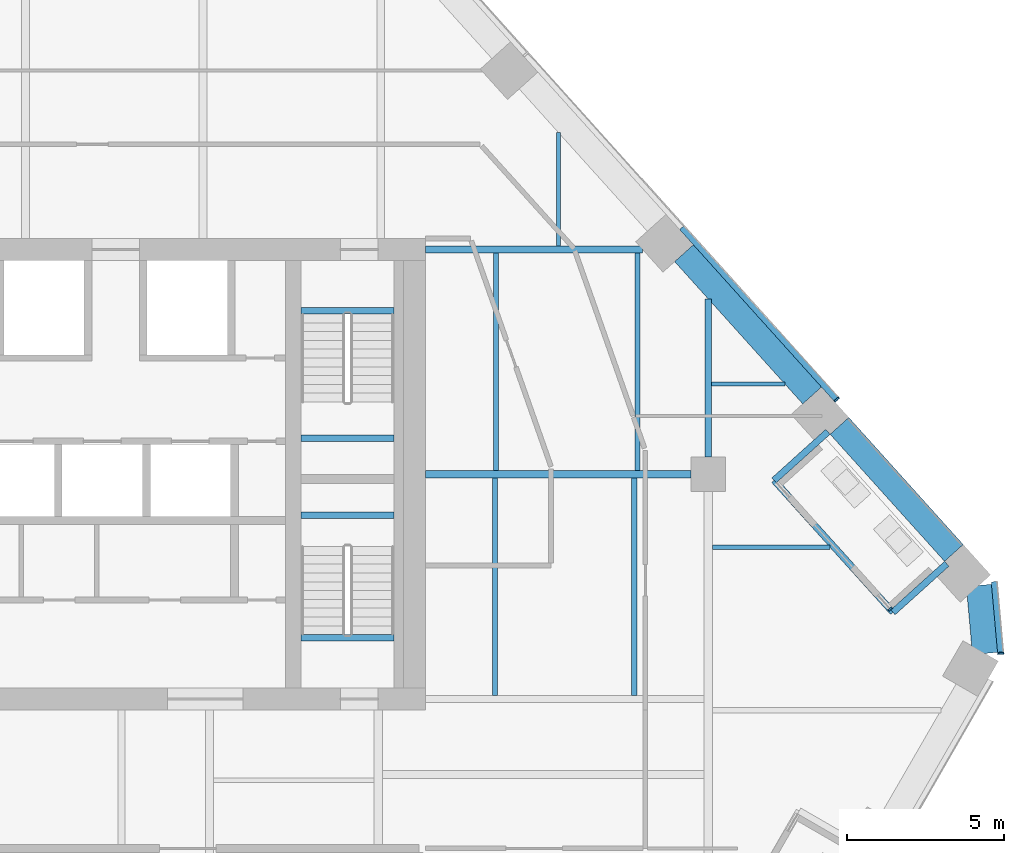
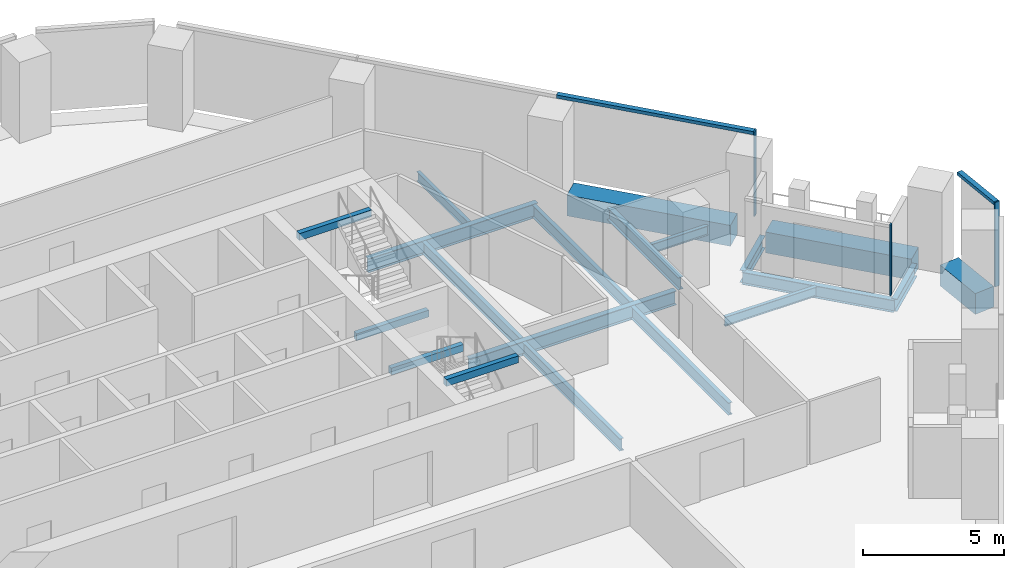
# One storey, part 10 of 26: 20 beams, 5 members, 3 elements without a shape of their own.
"""IFC4 building model written with IfcOpenShell, lengths in metres."""

from ifc_helpers import new_model, si_unit, direction, frame, origin, origin_2d, place, context, subcontext, project, spatial, rectangle, i_section, extrude, material, layer, layer_set, material_profile, profile_set, type_object, element, aggregate, save


model = new_model("IFC4")

# Units and contexts
model_context = context("Model", 3, precision=1e-05, world=origin(), true_north=direction((0.0, 1.0)))
body_context = subcontext(model_context, "Body", "Model", "MODEL_VIEW")
ifc_project = project(units=[si_unit("LENGTHUNIT", "METRE"), si_unit("AREAUNIT", "SQUARE_METRE"), si_unit("VOLUMEUNIT", "CUBIC_METRE"), si_unit("PLANEANGLEUNIT", "RADIAN"), si_unit("MASSUNIT", "GRAM", prefix="KILO")], contexts=[model_context])

# Site, building, storey
site_placement = place(None, origin())
site = spatial("IfcSite", under=ifc_project, at=site_placement, CompositionType="ELEMENT")
building_placement = place(site_placement, origin())
building = spatial("IfcBuilding", under=site, at=building_placement, Name="Isthmus Gate Tower", CompositionType="ELEMENT")
storey_placement = place(building_placement, frame((0.0, 0.0, 189.050048828125)))
storey = spatial("IfcBuildingStorey", under=building, at=storey_placement, Name="L47", CompositionType="ELEMENT", Elevation=189.050048828125)

# Curtain wall, member
ifc_material_1 = material(Name="Aluminium, pale champagne anodised", Category="aluminium")
ifc_layer_1 = layer(ifc_material_1, 0.199951171875)
ifc_layer_set_1 = layer_set([ifc_layer_1], Name="CW-1 UNITISED CURTAIN WALL 200 DEEP")
curtain_wall_type_1 = type_object("IfcCurtainWallType", Name="CW-1 UNITISED CURTAIN WALL 200 DEEP", PredefinedType="NOTDEFINED", material=ifc_layer_set_1)
curtain_wall_1_placement = place(storey_placement, origin())
curtain_wall_1 = element("IfcCurtainWall", 1, at=curtain_wall_1_placement, inside=storey, type_object=curtain_wall_type_1, Name="CW-1 SE-NE L47", PredefinedType="NOTDEFINED")
ifc_material_2 = material(Name="Aluminium, pale champagne anodised", Category="aluminium")
ifc_material_profile_1 = material_profile(ifc_material_2, rectangle(XDim=0.06005859375, YDim=0.199951171875, at=origin_2d()), Name="60x200")
ifc_profile_set_1 = profile_set([ifc_material_profile_1], Name="Aluminium, pale champagne anodised")
member_type_1 = type_object("IfcMemberType", Name="CW-1 MULLION 60 X 200", PredefinedType="MULLION", material=ifc_profile_set_1)
member_1_placement = place(storey_placement, frame((33.307861328125, 1.804443359375, 0.0), z_axis=(0.0, 0.0, 1.0), x_axis=(-0.089396669717, 0.995996102123, 0.0)))
member_1 = element("IfcMember", 2, at=member_1_placement, type_object=member_type_1, Name="CW-1 mullion", PredefinedType="MULLION", context=body_context, shape_type="SweptSolid", body=[
    extrude(rectangle(XDim=0.06005859375, YDim=0.199951171875, at=origin_2d()), origin(), (0.0, 0.0, 1.0), 3.64990234375),
])

curtain_wall_2_placement = place(storey_placement, origin())
curtain_wall_2 = element("IfcCurtainWall", 3, at=curtain_wall_2_placement, inside=storey, type_object=curtain_wall_type_1, Name="CW-1 NE L47", PredefinedType="NOTDEFINED")
member_2_placement = place(storey_placement, frame((28.09228515625, 9.880615234375, 0.0), z_axis=(0.0, 0.0, 1.0), x_axis=(-0.669130606359, 0.743144825477, 0.0)))
member_2 = element("IfcMember", 4, at=member_2_placement, type_object=member_type_1, Name="CW-1 mullion", PredefinedType="MULLION", context=body_context, shape_type="SweptSolid", body=[
    extrude(rectangle(XDim=0.06005859375, YDim=0.199951171875, at=origin_2d()), origin(), (0.0, 0.0, 1.0), 3.64990234375),
])

# Member
ifc_material_3 = material(Name="Aluminium, pale champagne anodised", Category="aluminium")
ifc_material_profile_2 = material_profile(ifc_material_3, rectangle(XDim=0.199951171875, YDim=0.139892578125, at=origin_2d()), Name="200x140")
ifc_profile_set_2 = profile_set([ifc_material_profile_2], Name="Aluminium, pale champagne anodised")
member_type_2 = type_object("IfcMemberType", Name="CW-1 TRANSOM 200 X 140", PredefinedType="USERDEFINED", material=ifc_profile_set_2)
member_3_placement = place(storey_placement, frame((33.30517578125, 1.83447265625, 3.579833984375), z_axis=(-0.089395362867, 0.995996219419, 0.0), x_axis=(-0.995996219419, -0.089395362867, 0.0)))
member_3 = element("IfcMember", 5, at=member_3_placement, type_object=member_type_2, Name="CW-1 transom", ObjectType="TRANSOM", PredefinedType="USERDEFINED", context=body_context, shape_type="SweptSolid", body=[
    extrude(rectangle(XDim=0.199951171875, YDim=0.139892578125, at=origin_2d()), origin(), (0.0, 0.0, 1.0), 2.258544921875),
])

aggregate(curtain_wall_1, [member_1, member_3])

member_4_placement = place(storey_placement, frame((28.072265625, 9.903076171875, 3.579833984375), z_axis=(-0.669137671884, 0.743138463589, 0.0), x_axis=(-0.743138463589, -0.669137671884, 0.0)))
member_4 = element("IfcMember", 6, at=member_4_placement, type_object=member_type_2, Name="CW-1 transom", ObjectType="TRANSOM", PredefinedType="USERDEFINED", context=body_context, shape_type="SweptSolid", body=[
    extrude(rectangle(XDim=0.199951171875, YDim=0.139892578125, at=origin_2d()), origin(), (0.0, 0.0, 1.0), 7.330810546875),
])

aggregate(curtain_wall_2, [member_2, member_4])

# Curtain wall, member
ifc_material_4 = material(Name="Aluminium, pale champagne anodised", Category="aluminium")
ifc_layer_2 = layer(ifc_material_4, 0.14990234375)
ifc_layer_set_2 = layer_set([ifc_layer_2], Name="CW-6 LOGGIA BACK WALL GLAZING 150 DEEP")
curtain_wall_type_2 = type_object("IfcCurtainWallType", Name="CW-6 LOGGIA BACK WALL GLAZING 150 DEEP", PredefinedType="NOTDEFINED", material=ifc_layer_set_2)
curtain_wall_3_placement = place(storey_placement, origin())
curtain_wall_3 = element("IfcCurtainWall", 7, at=curtain_wall_3_placement, inside=storey, type_object=curtain_wall_type_2, Name="CW-6 NE L47", PredefinedType="NOTDEFINED")
ifc_material_5 = material(Name="Aluminium, pale champagne anodised", Category="aluminium")
ifc_material_profile_3 = material_profile(ifc_material_5, rectangle(XDim=0.06005859375, YDim=0.14990234375, at=origin_2d()), Name="60x150")
ifc_profile_set_3 = profile_set([ifc_material_profile_3], Name="Aluminium, pale champagne anodised")
member_type_3 = type_object("IfcMemberType", Name="CW-6 MULLION 60 X 150", PredefinedType="MULLION", material=ifc_profile_set_3)
member_5_placement = place(storey_placement, frame((29.789794921875, 3.213134765625, 0.0), z_axis=(0.0, 0.0, 1.0), x_axis=(-0.669130606359, 0.743144825477, 0.0)))
member_5 = element("IfcMember", 8, at=member_5_placement, type_object=member_type_3, Name="CW-6 mullion", PredefinedType="MULLION", context=body_context, shape_type="SweptSolid", body=[
    extrude(rectangle(XDim=0.06005859375, YDim=0.14990234375, at=origin_2d()), origin(), (0.0, 0.0, 1.0), 3.050048828125),
])
aggregate(curtain_wall_3, [member_5])

# Beams
ifc_material_6 = material(Name="Concrete f'c 60 MPa", Category="concrete")
ifc_material_profile_4 = material_profile(ifc_material_6, rectangle(XDim=0.800048828125, YDim=0.89990234375, at=origin_2d()), Name="RC 800X900")
ifc_profile_set_4 = profile_set([ifc_material_profile_4], Name="Concrete f'c 60 MPa")
beam_type_1 = type_object("IfcBeamType", Name="RC SPANDREL 800 X 900", PredefinedType="SPANDREL", material=ifc_profile_set_4)
beam_1_placement = place(storey_placement, frame((23.230224609375, 14.533203125, -0.449951171875), z_axis=(0.669141874065, -0.743134679835, 0.0), x_axis=(0.743134679835, 0.669141874065, 0.0)))
element("IfcBeam", 9, at=beam_1_placement, inside=storey, type_object=beam_type_1, Name="str-spandrel-L47-03", PredefinedType="SPANDREL", context=body_context, shape_type="SweptSolid", body=[
    extrude(rectangle(XDim=0.800048828125, YDim=0.89990234375, at=origin_2d()), origin(), (0.0, 0.0, 1.0), 6.0908203125),
])
beam_2_placement = place(storey_placement, frame((28.17578125, 9.040771484375, -0.449951171875), z_axis=(0.669140732593, -0.74313570765, 0.0), x_axis=(0.74313570765, 0.669140732593, 0.0)))
element("IfcBeam", 10, at=beam_2_placement, inside=storey, type_object=beam_type_1, Name="str-spandrel-L47-04", PredefinedType="SPANDREL", context=body_context, shape_type="SweptSolid", body=[
    extrude(rectangle(XDim=0.800048828125, YDim=0.89990234375, at=origin_2d()), origin(), (0.0, 0.0, 1.0), 5.440673828125),
])
beam_3_placement = place(storey_placement, frame((32.61181640625, 3.964599609375, -0.449951171875), z_axis=(0.089421511639, -0.995993872098, 0.0), x_axis=(0.995993872098, 0.089421511639, 0.0)))
element("IfcBeam", 11, at=beam_3_placement, inside=storey, type_object=beam_type_1, Name="str-spandrel-L47-05", PredefinedType="SPANDREL", context=body_context, shape_type="SweptSolid", body=[
    extrude(rectangle(XDim=0.800048828125, YDim=0.89990234375, at=origin_2d()), origin(), (0.0, 0.0, 1.0), 2.17333984375),
])
ifc_material_7 = material(Name="Concrete f'c 40 MPa", Category="concrete")
ifc_material_profile_5 = material_profile(ifc_material_7, rectangle(XDim=0.199951171875, YDim=0.300048828125, at=origin_2d()), Name="STAIR LANDING BEAM RC 200 X 300")
ifc_profile_set_5 = profile_set([ifc_material_profile_5], Name="Concrete f'c 40 MPa")
beam_type_2 = type_object("IfcBeamType", Name="STAIR LANDING BEAM RC 200 X 300", PredefinedType="BEAM", material=ifc_profile_set_5)
for number, where, z_axis, x_axis, name in (
    (12, (11.050048828125, 8.64990234375, 1.474853515625), (1.0, 0.0, 0.0), (0.0, 1.0, 0.0), "L47 ST2 landing beam 1"),
    (13, (11.050048828125, 12.7001953125, 3.349853515625), (1.0, 0.0, 0.0), (0.0, 1.0, 0.0), "L47 ST2 floor-edge seat beam"),
    (14, (11.050048828125, 6.199951171875, 1.474853515625), (1.0, 0.0, 0.0), (0.0, 1.0, 0.0), "L47 ST8 landing beam 1"),
    (15, (11.050048828125, 2.2998046875, 3.349853515625), (1.0, 0.0, 0.0), (0.0, 1.0, 0.0), "L47 ST8 floor-edge seat beam"),
):
    element("IfcBeam", number, at=place(storey_placement, frame(where, z_axis=z_axis, x_axis=x_axis)), inside=storey, type_object=beam_type_2, Name=name, PredefinedType="BEAM", context=body_context, shape_type="SweptSolid", body=[
        extrude(rectangle(XDim=0.199951171875, YDim=0.300048828125, at=origin_2d()), origin(), (0.0, 0.0, 1.0), 2.949951171875),
    ])
ifc_material_8 = material(Name="Structural steel ASTM A992 Gr 50", Category="steel")
ifc_material_profile_6 = material_profile(ifc_material_8, i_section(OverallWidth=0.1396484375, OverallDepth=0.4033203125, WebThickness=0.00634765625, FlangeThickness=0.010986328125, at=origin_2d()), Name="W16X31")
ifc_profile_set_6 = profile_set([ifc_material_profile_6], Name="Structural steel ASTM A992 Gr 50")
beam_type_3 = type_object("IfcBeamType", Name="STEEL FLOOR BEAM W16X31", PredefinedType="JOIST", material=ifc_profile_set_6)
beam_4_placement = place(storey_placement, frame((19.23681640625, 14.764404296875, -0.3515625), z_axis=(0.0, 1.0, 0.0), x_axis=(-1.0, 0.0, 0.0)))
element("IfcBeam", 16, at=beam_4_placement, inside=storey, type_object=beam_type_3, Name="str-beam-L47-08-07", PredefinedType="JOIST", context=body_context, shape_type="SweptSolid", body=[
    extrude(i_section(OverallWidth=0.1396484375, OverallDepth=0.4033203125, WebThickness=0.00634765625, FlangeThickness=0.010986328125, at=origin_2d()), origin(), (0.0, 0.0, 1.0), 3.6064453125),
])
beam_5_placement = place(storey_placement, frame((24.13330078125, 5.184814453125, -0.3515625), z_axis=(1.0, 0.0, 0.0), x_axis=(0.0, 1.0, 0.0)))
element("IfcBeam", 17, at=beam_5_placement, inside=storey, type_object=beam_type_3, Name="str-beam-L47-19-02", PredefinedType="JOIST", context=body_context, shape_type="SweptSolid", body=[
    extrude(i_section(OverallWidth=0.1396484375, OverallDepth=0.4033203125, WebThickness=0.00634765625, FlangeThickness=0.010986328125, at=origin_2d()), origin(), (0.0, 0.0, 1.0), 3.73388671875),
])
beam_6_placement = place(storey_placement, frame((24.104736328125, 10.37109375, -0.3515625), z_axis=(1.0, 0.0, 0.0), x_axis=(0.0, 1.0, 0.0)))
element("IfcBeam", 18, at=beam_6_placement, inside=storey, type_object=beam_type_3, Name="str-beam-L47-19-03", PredefinedType="JOIST", context=body_context, shape_type="SweptSolid", body=[
    extrude(i_section(OverallWidth=0.1396484375, OverallDepth=0.4033203125, WebThickness=0.00634765625, FlangeThickness=0.010986328125, at=origin_2d()), origin(), (0.0, 0.0, 1.0), 2.3349609375),
])
ifc_material_9 = material(Name="Structural steel ASTM A992 Gr 50", Category="steel")
ifc_material_profile_7 = material_profile(ifc_material_9, i_section(OverallWidth=0.1650390625, OverallDepth=0.52392578125, WebThickness=0.009521484375, FlangeThickness=0.010986328125, at=origin_2d()), Name="W21X44")
ifc_profile_set_7 = profile_set([ifc_material_profile_7], Name="Structural steel ASTM A992 Gr 50")
beam_type_4 = type_object("IfcBeamType", Name="STEEL FLOOR BEAM W21X44", PredefinedType="JOIST", material=ifc_profile_set_7)
for number, where, z_axis, x_axis, name in (
    (19, (17.25, 7.6142578125, -0.412109375), (0.0, 1.0, 0.0), (-1.0, 0.0, 0.0), "str-beam-L47-16-00"),
    (20, (21.75, 7.6142578125, -0.412109375), (0.0, 1.0, 0.0), (-1.0, 0.0, 0.0), "str-beam-L47-16-01"),
    (21, (17.216552734375, 0.46435546875, -0.412109375), (0.0, 1.0, 0.0), (-1.0, 0.0, 0.0), "str-beam-L47-17-00"),
    (22, (21.64990234375, 0.46435546875, -0.412109375), (0.0, 1.0, 0.0), (-1.0, 0.0, 0.0), "str-beam-L47-17-01"),
):
    element("IfcBeam", number, at=place(storey_placement, frame(where, z_axis=z_axis, x_axis=x_axis)), inside=storey, type_object=beam_type_4, Name=name, PredefinedType="JOIST", context=body_context, shape_type="SweptSolid", body=[
        extrude(i_section(OverallWidth=0.1650390625, OverallDepth=0.52392578125, WebThickness=0.009521484375, FlangeThickness=0.010986328125, at=origin_2d()), origin(), (0.0, 0.0, 1.0), 6.92138671875),
    ])
ifc_material_10 = material(Name="Structural steel ASTM A992 Gr 50", Category="steel")
ifc_material_profile_8 = material_profile(ifc_material_10, i_section(OverallWidth=0.20947265625, OverallDepth=0.533447265625, WebThickness=0.009521484375, FlangeThickness=0.015869140625, at=origin_2d()), Name="W21X62")
ifc_profile_set_8 = profile_set([ifc_material_profile_8], Name="Structural steel ASTM A992 Gr 50")
beam_type_5 = type_object("IfcBeamType", Name="STEEL GIRDER W21X62", PredefinedType="BEAM", material=ifc_profile_set_8)
beam_7_placement = place(storey_placement, frame((24.0, 8.050048828125, -0.416748046875), z_axis=(0.0, 1.0, 0.0), x_axis=(-1.0, 0.0, 0.0)))
element("IfcBeam", 23, at=beam_7_placement, inside=storey, type_object=beam_type_5, Name="str-girder-L47-11", PredefinedType="BEAM", context=body_context, shape_type="SweptSolid", body=[
    extrude(i_section(OverallWidth=0.20947265625, OverallDepth=0.533447265625, WebThickness=0.009521484375, FlangeThickness=0.015869140625, at=origin_2d()), origin(), (0.0, 0.0, 1.0), 5.030517578125),
])
ifc_material_11 = material(Name="Structural steel ASTM A992 Gr 50", Category="steel")
ifc_material_profile_9 = material_profile(ifc_material_11, i_section(OverallWidth=0.228515625, OverallDepth=0.603271484375, WebThickness=0.010986328125, FlangeThickness=0.014404296875, at=origin_2d()), Name="W24X68")
ifc_profile_set_9 = profile_set([ifc_material_profile_9], Name="Structural steel ASTM A992 Gr 50")
beam_type_6 = type_object("IfcBeamType", Name="STEEL GIRDER W24X68", PredefinedType="BEAM", material=ifc_profile_set_9)
beam_8_placement = place(storey_placement, frame((15.0, 14.64990234375, -0.45166015625), z_axis=(1.0, 0.0, 0.0), x_axis=(0.0, 1.0, 0.0)))
element("IfcBeam", 24, at=beam_8_placement, inside=storey, type_object=beam_type_6, Name="str-girder-L47-15", PredefinedType="BEAM", context=body_context, shape_type="SweptSolid", body=[
    extrude(i_section(OverallWidth=0.228515625, OverallDepth=0.603271484375, WebThickness=0.010986328125, FlangeThickness=0.014404296875, at=origin_2d()), origin(), (0.0, 0.0, 1.0), 6.9140625),
])
ifc_material_12 = material(Name="Structural steel ASTM A992 Gr 50", Category="steel")
ifc_material_profile_10 = material_profile(ifc_material_12, i_section(OverallWidth=0.228515625, OverallDepth=0.6064453125, WebThickness=0.010986328125, FlangeThickness=0.017578125, at=origin_2d()), Name="W24X76")
ifc_profile_set_10 = profile_set([ifc_material_profile_10], Name="Structural steel ASTM A992 Gr 50")
beam_type_7 = type_object("IfcBeamType", Name="STEEL GIRDER W24X76", PredefinedType="BEAM", material=ifc_profile_set_10)
beam_9_placement = place(storey_placement, frame((15.0, 7.5, -0.453369140625), z_axis=(1.0, 0.0, 0.0), x_axis=(0.0, 1.0, 0.0)))
element("IfcBeam", 25, at=beam_9_placement, inside=storey, type_object=beam_type_7, Name="str-girder-L47-05", PredefinedType="BEAM", context=body_context, shape_type="SweptSolid", body=[
    extrude(i_section(OverallWidth=0.228515625, OverallDepth=0.6064453125, WebThickness=0.010986328125, FlangeThickness=0.017578125, at=origin_2d()), origin(), (0.0, 0.0, 1.0), 8.449951171875),
])
ifc_material_13 = material(Name="Structural steel ASTM A992 Gr 50", Category="steel")
ifc_material_profile_11 = material_profile(ifc_material_13, i_section(OverallWidth=0.20947265625, OverallDepth=0.533447265625, WebThickness=0.009521484375, FlangeThickness=0.015869140625, at=origin_2d()), Name="W21X62")
ifc_profile_set_11 = profile_set([ifc_material_profile_11], Name="Structural steel ASTM A992 Gr 50")
beam_type_8 = type_object("IfcBeamType", Name="STEEL TRIMMER W21X62", PredefinedType="BEAM", material=ifc_profile_set_11)
beam_10_placement = place(storey_placement, frame((29.87646484375, 3.10986328125, -0.416748046875), z_axis=(-0.669129433323, 0.743145881682, 0.0), x_axis=(-0.743145881682, -0.669129433323, 0.0)))
element("IfcBeam", 26, at=beam_10_placement, inside=storey, type_object=beam_type_8, Name="str-loggiatrim-L47-05-B", PredefinedType="BEAM", context=body_context, shape_type="SweptSolid", body=[
    extrude(i_section(OverallWidth=0.20947265625, OverallDepth=0.533447265625, WebThickness=0.009521484375, FlangeThickness=0.015869140625, at=origin_2d()), origin(), (0.0, 0.0, 1.0), 5.650390625),
])
for number, where, z_axis, x_axis, name in (
    (27, (31.589111328125, 4.652099609375, -0.416748046875), (-0.743109762025, -0.669169546217, 0.0), (0.669169546217, -0.743109762025, 0.0), "str-loggiatrim-L47-05-A"),
    (28, (27.808349609375, 8.85107421875, -0.416748046875), (-0.743109762025, -0.669169546217, 0.0), (0.669169546217, -0.743109762025, 0.0), "str-loggiatrim-L47-05-C"),
):
    element("IfcBeam", number, at=place(storey_placement, frame(where, z_axis=z_axis, x_axis=x_axis)), inside=storey, type_object=beam_type_8, Name=name, PredefinedType="BEAM", context=body_context, shape_type="SweptSolid", body=[
        extrude(i_section(OverallWidth=0.20947265625, OverallDepth=0.533447265625, WebThickness=0.009521484375, FlangeThickness=0.015869140625, at=origin_2d()), origin(), (0.0, 0.0, 1.0), 2.3046875),
    ])

save(model, "model.ifc")
